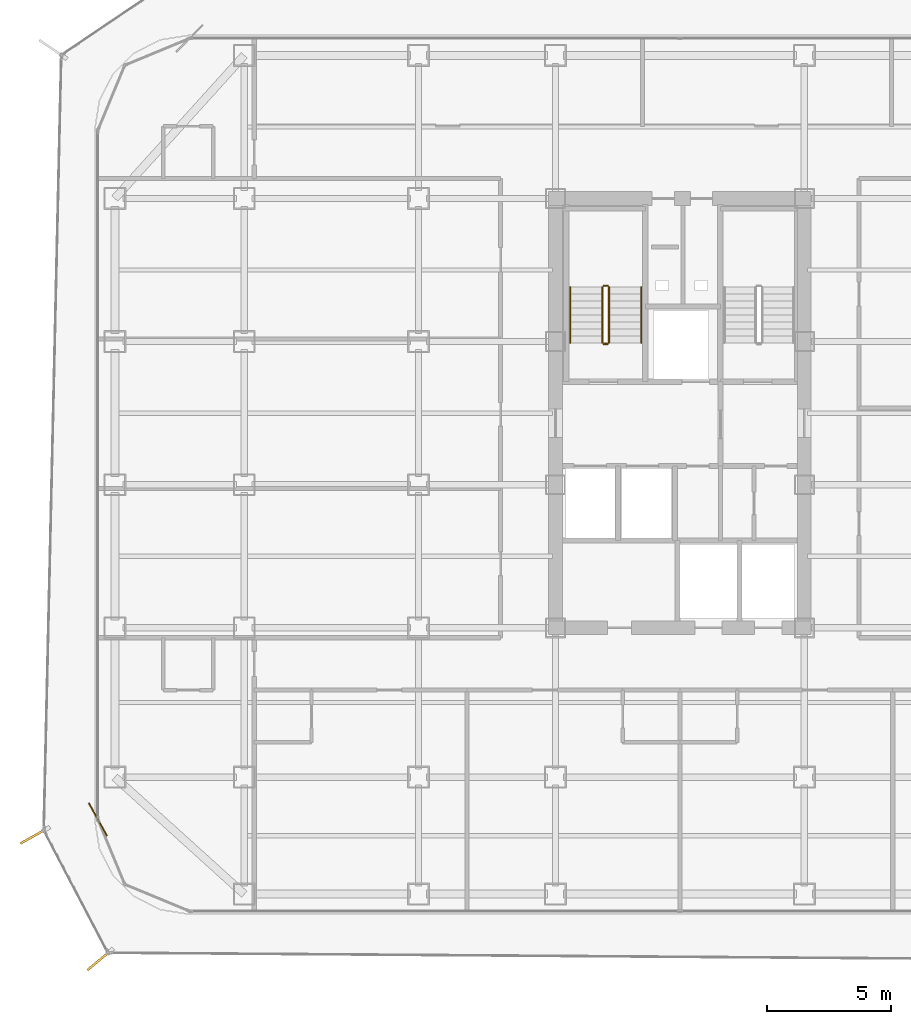
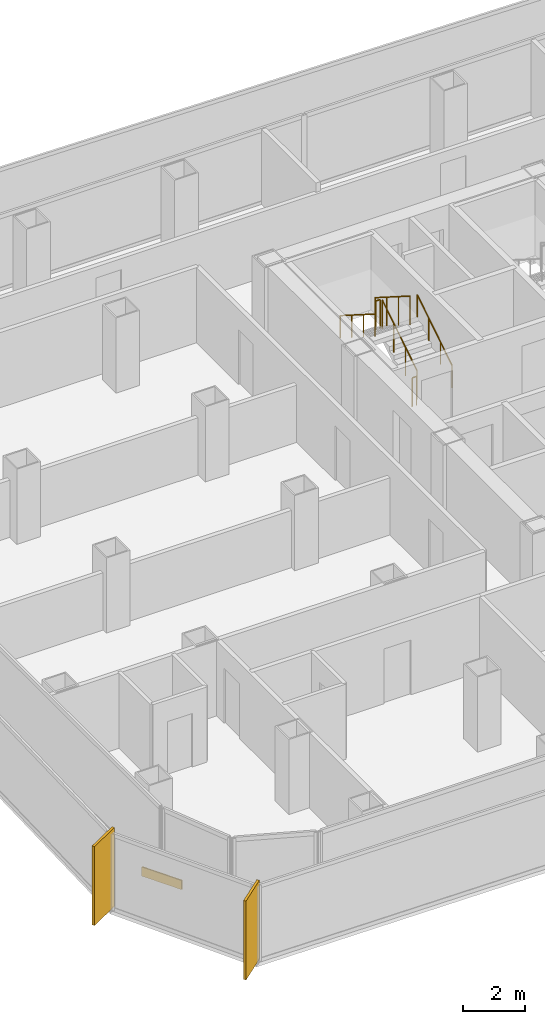
# One storey, part 19 of 21: 6 railings, 2 shading devices, 1 covering.
"""IFC4 building model written with IfcOpenShell, lengths in metres."""

from ifc_helpers import new_model, si_unit, direction, frame, origin, origin_2d, place, context, subcontext, project, spatial, rectangle, circle, extrude, source, transform, mapped, material, layer, layer_set, type_object, element, save


model = new_model("IFC4")

# Units and contexts
model_context = context("Model", 3, precision=1e-05, world=origin(), true_north=direction((0.0, 1.0)))
body_context = subcontext(model_context, "Body", "Model", "MODEL_VIEW")
ifc_project = project(units=[si_unit("LENGTHUNIT", "METRE"), si_unit("AREAUNIT", "SQUARE_METRE"), si_unit("VOLUMEUNIT", "CUBIC_METRE"), si_unit("PLANEANGLEUNIT", "RADIAN"), si_unit("MASSUNIT", "GRAM", prefix="KILO")], contexts=[model_context])

# Site, building, storey
site_placement = place(None, origin())
site = spatial("IfcSite", under=ifc_project, at=site_placement, CompositionType="ELEMENT")
building_placement = place(site_placement, origin())
building = spatial("IfcBuilding", under=site, at=building_placement, Name="Kolveth Station Tower", CompositionType="ELEMENT")
storey_placement = place(building_placement, frame((0.0, 0.0, 105.5)))
storey = spatial("IfcBuildingStorey", under=building, at=storey_placement, Name="L28", CompositionType="ELEMENT", Elevation=105.5)

# Railings
ifc_material_1 = material(Name="Painted Steel S355 balustrade", Category="steel")
railing_type_1 = type_object("IfcRailingType", Name="Guard_GR2", PredefinedType="BALUSTRADE", material=ifc_material_1)
railing_1_placement = place(storey_placement, frame((20.64990234375, 22.949951171875, 0.177734375)))
element("IfcRailing", 1, at=railing_1_placement, inside=storey, type_object=railing_type_1, Name="L28 ST1 stair guard 1", PredefinedType="BALUSTRADE", context=body_context, shape_type="SweptSolid", body=[
    extrude(circle(Radius=0.02392578125, at=origin_2d()), frame((0.0, 0.0, 1.1259765625), z_axis=(0.0, 0.84418770128, 0.536047689118), x_axis=(-1.0, 0.0, 0.0)), (0.0, 0.0, 1.0), 2.6533203125),
    extrude(circle(Radius=0.02099609375, at=origin_2d()), origin(), (0.0, 0.0, 1.0), 1.101806640625),
    extrude(circle(Radius=0.02099609375, at=origin_2d()), frame((0.0, 0.74658203125, 0.47412109375)), (0.0, 0.0, 1.0), 1.101806640625),
    extrude(circle(Radius=0.02099609375, at=origin_2d()), frame((0.0, 1.493408203125, 0.9482421875)), (0.0, 0.0, 1.0), 1.101806640625),
    extrude(circle(Radius=0.02099609375, at=origin_2d()), frame((0.0, 2.239990234375, 1.42236328125)), (0.0, 0.0, 1.0), 1.101806640625),
])
railing_2_placement = place(storey_placement, frame((20.60009765625, 25.239990234375, 1.60009765625)))
element("IfcRailing", 2, at=railing_2_placement, inside=storey, type_object=railing_type_1, Name="L28 ST1 stair guard 2", PredefinedType="BALUSTRADE", context=body_context, shape_type="SweptSolid", body=[
    extrude(circle(Radius=0.02392578125, at=origin_2d()), frame((0.0, 0.0, 1.1259765625), z_axis=(-1.0, 0.0, 0.0), x_axis=(0.0, -1.0, 0.0)), (0.0, 0.0, 1.0), 0.16015625),
    extrude(circle(Radius=0.02099609375, at=origin_2d()), origin(), (0.0, 0.0, 1.0), 1.101806640625),
    extrude(circle(Radius=0.02099609375, at=origin_2d()), frame((-0.16015625, 0.0, 0.0)), (0.0, 0.0, 1.0), 1.101806640625),
])
railing_3_placement = place(storey_placement, frame((20.389892578125, 25.18994140625, 1.77783203125)))
element("IfcRailing", 3, at=railing_3_placement, inside=storey, type_object=railing_type_1, Name="L28 ST1 stair guard 3", PredefinedType="BALUSTRADE", context=body_context, shape_type="SweptSolid", body=[
    extrude(circle(Radius=0.02392578125, at=origin_2d()), frame((0.0, 0.0, 1.1259765625), z_axis=(0.0, -0.8442293374, 0.53598211339), x_axis=(1.0, 0.0, 0.0)), (0.0, 0.0, 1.0), 2.6533203125),
    extrude(circle(Radius=0.02099609375, at=origin_2d()), origin(), (0.0, 0.0, 1.0), 1.101806640625),
    extrude(circle(Radius=0.02099609375, at=origin_2d()), frame((0.0, -0.74658203125, 0.47412109375)), (0.0, 0.0, 1.0), 1.101806640625),
    extrude(circle(Radius=0.02099609375, at=origin_2d()), frame((0.0, -1.493408203125, 0.947998046875)), (0.0, 0.0, 1.0), 1.101806640625),
    extrude(circle(Radius=0.02099609375, at=origin_2d()), frame((0.0, -2.239990234375, 1.422119140625)), (0.0, 0.0, 1.0), 1.101806640625),
])
railing_4_placement = place(storey_placement, frame((20.60009765625, 22.89990234375, 0.0)))
element("IfcRailing", 4, at=railing_4_placement, inside=storey, type_object=railing_type_1, Name="L28 ST1 stair guard 4", PredefinedType="BALUSTRADE", context=body_context, shape_type="SweptSolid", body=[
    extrude(circle(Radius=0.02392578125, at=origin_2d()), frame((0.0, 0.0, 1.1259765625), z_axis=(-1.0, 0.0, 0.0), x_axis=(0.0, -1.0, 0.0)), (0.0, 0.0, 1.0), 0.16015625),
    extrude(circle(Radius=0.02099609375, at=origin_2d()), origin(), (0.0, 0.0, 1.0), 1.101806640625),
    extrude(circle(Radius=0.02099609375, at=origin_2d()), frame((-0.16015625, 0.0, 0.0)), (0.0, 0.0, 1.0), 1.101806640625),
])
ifc_material_2 = material(Name="Brushed stainless steel", Category="steel")
railing_type_2 = type_object("IfcRailingType", Name="Handrail_HR1", PredefinedType="HANDRAIL", material=ifc_material_2)
railing_5_placement = place(storey_placement, frame((21.949951171875, 22.949951171875, 0.177734375)))
element("IfcRailing", 5, at=railing_5_placement, inside=storey, type_object=railing_type_2, Name="L28 ST1 stair handrail 1", PredefinedType="HANDRAIL", context=body_context, shape_type="SweptSolid", body=[
    extrude(circle(Radius=0.02392578125, at=origin_2d()), frame((0.0, 0.0, 0.8759765625), z_axis=(0.0, 0.84418770128, 0.536047689118), x_axis=(-1.0, 0.0, 0.0)), (0.0, 0.0, 1.0), 2.6533203125),
    extrude(circle(Radius=0.02099609375, at=origin_2d()), origin(), (0.0, 0.0, 1.0), 0.851806640625),
    extrude(circle(Radius=0.02099609375, at=origin_2d()), frame((0.0, 0.74658203125, 0.47412109375)), (0.0, 0.0, 1.0), 0.851806640625),
    extrude(circle(Radius=0.02099609375, at=origin_2d()), frame((0.0, 1.493408203125, 0.9482421875)), (0.0, 0.0, 1.0), 0.851806640625),
    extrude(circle(Radius=0.02099609375, at=origin_2d()), frame((0.0, 2.239990234375, 1.42236328125)), (0.0, 0.0, 1.0), 0.851806640625),
])
railing_6_placement = place(storey_placement, frame((19.090087890625, 25.18994140625, 1.77783203125)))
element("IfcRailing", 6, at=railing_6_placement, inside=storey, type_object=railing_type_2, Name="L28 ST1 stair handrail 2", PredefinedType="HANDRAIL", context=body_context, shape_type="SweptSolid", body=[
    extrude(circle(Radius=0.02392578125, at=origin_2d()), frame((0.0, 0.0, 0.8759765625), z_axis=(0.0, -0.8442293374, 0.53598211339), x_axis=(1.0, 0.0, 0.0)), (0.0, 0.0, 1.0), 2.6533203125),
    extrude(circle(Radius=0.02099609375, at=origin_2d()), origin(), (0.0, 0.0, 1.0), 0.851806640625),
    extrude(circle(Radius=0.02099609375, at=origin_2d()), frame((0.0, -0.74658203125, 0.47412109375)), (0.0, 0.0, 1.0), 0.851806640625),
    extrude(circle(Radius=0.02099609375, at=origin_2d()), frame((0.0, -1.493408203125, 0.947998046875)), (0.0, 0.0, 1.0), 0.851806640625),
    extrude(circle(Radius=0.02099609375, at=origin_2d()), frame((0.0, -2.239990234375, 1.422119140625)), (0.0, 0.0, 1.0), 0.851806640625),
])

# Shading devices
ifc_material_3 = material(Name="Black anodized aluminium 6063-T6", Category="aluminium")
shading_device_type = type_object("IfcShadingDeviceType", Name="FIN_VF1", PredefinedType="USERDEFINED", material=ifc_material_3)
shared_shape_1 = source(origin(), body_context, "Body", "SweptSolid", [
    extrude(rectangle(XDim=1.25, YDim=0.090087890625, at=origin_2d()), origin(), (0.0, 0.0, 1.0), 3.10009765625),
])
for number, where, z_axis, x_axis, name in (
    (7, (-2.44189453125, 3.14306640625, 0.0), (0.0, 0.0, 1.0), (-0.872836916401, -0.488012005351, 0.0), "L28 Dark-Aluminium Solar Fin 7"),
    (8, (0.181884765625, -1.847900390625, 0.0), (0.0, 0.0, 1.0), (-0.767165151815, -0.641449631569, 0.0), "L28 Dark-Aluminium Solar Fin 8"),
):
    element("IfcShadingDevice", number, at=place(storey_placement, frame(where, z_axis=z_axis, x_axis=x_axis)), inside=storey, type_object=shading_device_type, Name=name, ObjectType="FIN", PredefinedType="USERDEFINED", context=body_context, shape_type="MappedRepresentation", body=[
        mapped(shared_shape_1, transform((0.0, 0.0, 0.0), x_axis=(1.0, 0.0, 0.0), y_axis=(0.0, 1.0, 0.0), z_axis=(0.0, 0.0, 1.0), scale=1.0)),
    ])

# Covering
ifc_material_4 = material(Name="Charcoal anodized aluminium spandrel cladding", Category="aluminium")
ifc_layer = layer(ifc_material_4, 0.044921875)
ifc_layer_set = layer_set([ifc_layer], Name="Charcoal anodized aluminium spandrel cladding")
covering_type = type_object("IfcCoveringType", Name="Clad_CD1", PredefinedType="CLADDING", material=ifc_layer_set)
shared_shape_2 = source(origin(), body_context, "Body", "SweptSolid", [
    extrude(rectangle(XDim=1.5, YDim=0.044921875, at=origin_2d()), origin(), (0.0, 0.0, 1.0), 0.360107421875),
])
covering_placement = place(storey_placement, frame((0.1201171875, 3.800048828125, 0.0), z_axis=(0.0, 0.0, 1.0), x_axis=(0.488012005351, -0.872836916401, 0.0)))
element("IfcCovering", 9, at=covering_placement, inside=storey, type_object=covering_type, Name="L28 Spandrel Edge Cladding 7", PredefinedType="CLADDING", context=body_context, shape_type="MappedRepresentation", body=[
    mapped(shared_shape_2, transform((0.0, 0.0, 0.0), x_axis=(1.0, 0.0, 0.0), y_axis=(0.0, 1.0, 0.0), z_axis=(0.0, 0.0, 1.0), scale=1.0)),
])

save(model, "model.ifc")
